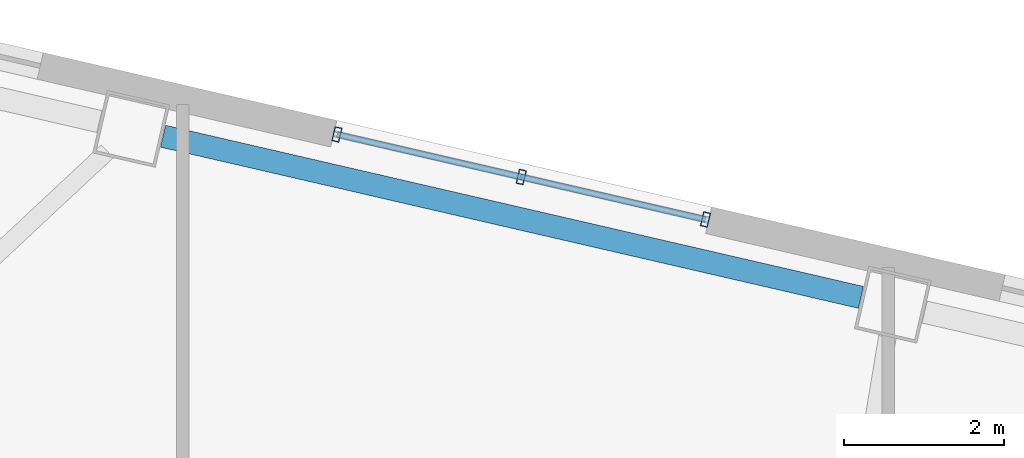
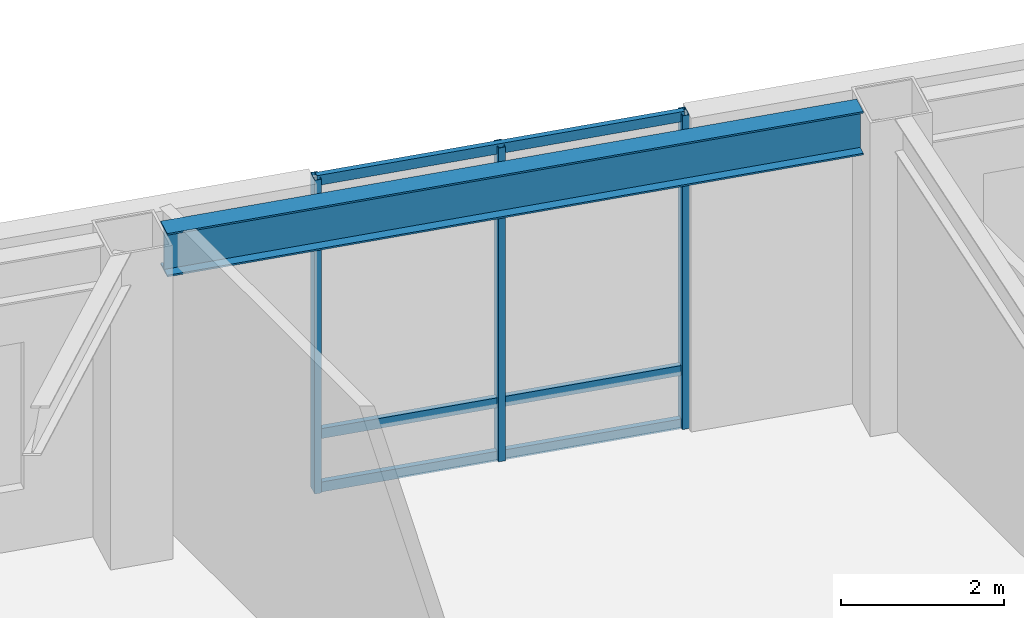
# One storey, part 6 of 20: 6 members, 1 beam, 1 element without a shape of its own.
"""IFC4 building model written with IfcOpenShell, lengths in metres."""

import ifcopenshell
import ifcopenshell.guid

model = None  # the IFC model being written
_history = None  # IfcOwnerHistory: only IFC2X3 demands one
_inside = {}  # id of a spatial element -> (the spatial element, [elements in it])
_under = {}  # id of a project, library or spatial element -> (it, [spatial elements below it])
_declared = {}  # id of a project -> (the project, [libraries it declares])
_typed = {}  # id of a type object -> (the type object, [elements of that type])
_made_of = {}  # id of a material, layer set ... -> (it, [elements and type objects made of it])


def new_model(schema):
    """Start an empty IFC model of exactly this schema.

    Asked for "IFC4X3", IfcOpenShell would pick the latest addendum, in which some entities
    have other attributes; the version numbers below select the first issue.
    IFC2X3 requires an IfcOwnerHistory on every rooted entity: one is made here for all.
    """
    global model, _history
    if schema == "IFC4X3":
        model = ifcopenshell.file(schema_version=(4, 3, 0, 0))
    else:
        model = ifcopenshell.file(schema=schema)
    _inside.clear()
    _under.clear()
    _declared.clear()
    _typed.clear()
    _made_of.clear()
    _history = None
    if model.schema == "IFC2X3":
        org = make("IfcOrganization", Name="unknown")
        user = make(
            "IfcPersonAndOrganization",
            ThePerson=make("IfcPerson", FamilyName="unknown"),
            TheOrganization=org,
        )
        app = make(
            "IfcApplication",
            ApplicationDeveloper=org,
            Version="unknown",
            ApplicationFullName="unknown",
            ApplicationIdentifier="unknown",
        )
        _history = make(
            "IfcOwnerHistory",
            OwningUser=user,
            OwningApplication=app,
            ChangeAction="ADDED",
            CreationDate=0,
        )
    return model


def make(cls, **values):
    """One entity of the class cls with the attributes given. An attribute that is None is left unset."""
    return model.create_entity(
        cls, **{name: value for name, value in values.items() if value is not None}
    )


def rooted(cls, **values):
    """An entity with a GlobalId (a new one), such as an element, a storey or a relation."""
    return make(cls, GlobalId=ifcopenshell.guid.new(), OwnerHistory=_history, **values)


def si_unit(unit_type, name, prefix=None):
    """IfcSIUnit, for example si_unit("LENGTHUNIT", "METRE", prefix="MILLI")."""
    return make("IfcSIUnit", UnitType=unit_type, Prefix=prefix, Name=name)


def assignment(units):
    """IfcUnitAssignment: the units of a project."""
    return None if units is None else make("IfcUnitAssignment", Units=units)


def point(xyz):
    """IfcCartesianPoint."""
    return None if xyz is None else make("IfcCartesianPoint", Coordinates=xyz)


def direction(xyz):
    """IfcDirection."""
    return None if xyz is None else make("IfcDirection", DirectionRatios=xyz)


def frame(location, z_axis=None, x_axis=None):
    """IfcAxis2Placement3D, a coordinate frame: its origin and axes. An axis left out is left unset."""
    return make(
        "IfcAxis2Placement3D",
        Location=point(location),
        Axis=direction(z_axis),
        RefDirection=direction(x_axis),
    )


def frame_2d(location, x_axis=None):
    """IfcAxis2Placement2D, a coordinate frame in the plane: its origin and x axis."""
    return make(
        "IfcAxis2Placement2D", Location=point(location), RefDirection=direction(x_axis)
    )


def origin():
    """The frame at (0, 0, 0) with its axes left unset."""
    return frame((0.0, 0.0, 0.0))


def origin_2d():
    """The frame at (0, 0) in the plane with its x axis left unset."""
    return frame_2d((0.0, 0.0))


def place(relative_to, where):
    """IfcLocalPlacement: puts the frame where relative to a parent placement (None: the world)."""
    return make(
        "IfcLocalPlacement", PlacementRelTo=relative_to, RelativePlacement=where
    )


def context(
    kind, dimensions, precision=None, world=None, true_north=None, identifier=None
):
    """IfcGeometricRepresentationContext, for example the 3D "Model" context."""
    return make(
        "IfcGeometricRepresentationContext",
        ContextIdentifier=identifier,
        ContextType=kind,
        CoordinateSpaceDimension=dimensions,
        Precision=precision,
        WorldCoordinateSystem=world,
        TrueNorth=true_north,
    )


def subcontext(parent, identifier, kind, view, scale=None):
    """IfcGeometricRepresentationSubContext, for example "Body" below "Model"."""
    return make(
        "IfcGeometricRepresentationSubContext",
        ContextIdentifier=identifier,
        ContextType=kind,
        ParentContext=parent,
        TargetScale=scale,
        TargetView=view,
    )


def project(units=None, contexts=None):
    """IfcProject with its units and contexts."""
    return rooted(
        "IfcProject",
        Name="project",
        RepresentationContexts=contexts,
        UnitsInContext=assignment(units),
    )


def spatial(cls, under=None, at=None, **own):
    """A site, building, storey or space (cls), placed at a placement, below another one or the project."""
    s = rooted(cls, ObjectPlacement=at, **own)
    if under is not None:
        _under.setdefault(under.id(), (under, []))[1].append(s)
    return s


def profile(cls, at=None, kind="AREA", **sizes):
    """A parametric profile (cls). Its sizes go by their IFC names, for example OverallWidth=200.0."""
    return make(cls, ProfileType=kind, Position=at, **sizes)


def hollow_rectangle(**sizes):
    """IfcRectangleHollowProfileDef."""
    return profile("IfcRectangleHollowProfileDef", **sizes)


def i_section(**sizes):
    """IfcIShapeProfileDef."""
    return profile("IfcIShapeProfileDef", **sizes)


def extrude(swept, where, along, depth):
    """IfcExtrudedAreaSolid: the profile swept, set in the frame where, extruded along a direction by depth."""
    return make(
        "IfcExtrudedAreaSolid",
        SweptArea=swept,
        Position=where,
        ExtrudedDirection=direction(along),
        Depth=depth,
    )


def shape(context_of_items, identifier, shape_type, items):
    """IfcShapeRepresentation: the items that make up one representation, for example the "Body"."""
    return make(
        "IfcShapeRepresentation",
        ContextOfItems=context_of_items,
        RepresentationIdentifier=identifier,
        RepresentationType=shape_type,
        Items=items,
    )


def material(Name=None, Category=None):
    """IfcMaterial."""
    return make("IfcMaterial", Name=Name, Category=Category)


def layer(
    of_material, thickness, ventilated=None, Name=None, Category=None, Priority=None
):
    """IfcMaterialLayer: one layer of a wall or slab, of a material (None: an air gap)."""
    return make(
        "IfcMaterialLayer",
        Material=of_material,
        LayerThickness=thickness,
        IsVentilated=ventilated,
        Name=Name,
        Category=Category,
        Priority=Priority,
    )


def layer_set(layers, Name=None):
    """IfcMaterialLayerSet."""
    return make("IfcMaterialLayerSet", MaterialLayers=layers, LayerSetName=Name)


def material_profile(
    of_material, cross_section, Name=None, Category=None, Priority=None
):
    """IfcMaterialProfile: a cross section and its material."""
    return make(
        "IfcMaterialProfile",
        Name=Name,
        Material=of_material,
        Profile=cross_section,
        Priority=Priority,
        Category=Category,
    )


def profile_set(profiles, Name=None, composite=None):
    """IfcMaterialProfileSet."""
    return make(
        "IfcMaterialProfileSet",
        Name=Name,
        MaterialProfiles=profiles,
        CompositeProfile=composite,
    )


def made_of(thing, what):
    """Note that an element or type object is made of a material, layer set ...; save() writes the relation."""
    if what is not None:
        _made_of.setdefault(what.id(), (what, []))[1].append(thing)
    return thing


def type_object(cls, material=None, **own):
    """A type object (cls), such as IfcWallType, which elements share."""
    return made_of(rooted(cls, **own), material)


def element(
    cls,
    number,
    at=None,
    inside=None,
    cuts=None,
    type_object=None,
    material=None,
    context=None,
    identifier="Body",
    shape_type=None,
    held_by="IfcProductDefinitionShape",
    body=None,
    shapes=None,
    **own,
):
    """One element of the class cls, such as IfcWall. Its Tag is "e" and its number.

    at: its placement. inside: the storey or other place that contains it. cuts: it is an
    opening in that element (IfcRelVoidsElement). A single representation is given by context,
    identifier, shape_type and body (its items); several are given by shapes. held_by: the class
    of the entity that holds the representations. save() writes the other relations.
    """
    e = rooted(cls, Tag="e%d" % number, ObjectPlacement=at, **own)
    if body is not None:
        shapes = [shape(context, identifier, shape_type, body)]
    if shapes is not None:
        e.Representation = make(held_by, Representations=shapes)
    if inside is not None:
        _inside.setdefault(inside.id(), (inside, []))[1].append(e)
    if cuts is not None:
        rooted(
            "IfcRelVoidsElement", RelatingBuildingElement=cuts, RelatedOpeningElement=e
        )
    if type_object is not None:
        _typed.setdefault(type_object.id(), (type_object, []))[1].append(e)
    return made_of(e, material)


def aggregate(whole, parts):
    """IfcRelAggregates: a whole, such as a stair, and the parts it consists of."""
    return rooted("IfcRelAggregates", RelatingObject=whole, RelatedObjects=parts)


def save(model, path):
    """Write the relations noted so far, then the file.

    IfcRelAggregates (storeys below a building ...), IfcRelContainedInSpatialStructure (elements
    in a storey), IfcRelDefinesByType, IfcRelAssociatesMaterial and IfcRelDeclares: one each for
    every whole, place, type object, material and project.
    """
    for whole, parts in _under.values():
        aggregate(whole, parts)
    for where, things in _inside.values():
        rooted(
            "IfcRelContainedInSpatialStructure",
            RelatedElements=things,
            RelatingStructure=where,
        )
    for kind, things in _typed.values():
        rooted("IfcRelDefinesByType", RelatedObjects=things, RelatingType=kind)
    for what, things in _made_of.values():
        rooted("IfcRelAssociatesMaterial", RelatedObjects=things, RelatingMaterial=what)
    for by, libraries in _declared.values():
        rooted("IfcRelDeclares", RelatingContext=by, RelatedDefinitions=libraries)
    model.write(path)


model = new_model("IFC4")

# Units and contexts
model_context = context("Model", 3, precision=1e-05, world=origin(), true_north=direction((0.0, 1.0)))
body_context = subcontext(model_context, "Body", "Model", "MODEL_VIEW")
ifc_project = project(units=[si_unit("LENGTHUNIT", "METRE"), si_unit("AREAUNIT", "SQUARE_METRE"), si_unit("VOLUMEUNIT", "CUBIC_METRE"), si_unit("PLANEANGLEUNIT", "RADIAN"), si_unit("MASSUNIT", "GRAM", prefix="KILO")], contexts=[model_context])

# Site, building, storey
site_placement = place(None, origin())
site = spatial("IfcSite", under=ifc_project, at=site_placement, CompositionType="ELEMENT")
building_placement = place(site_placement, origin())
building = spatial("IfcBuilding", under=site, at=building_placement, Name="Tavrogorsk Clinical Tower", CompositionType="ELEMENT")
storey_placement = place(building_placement, frame((0.0, 0.0, 13.39990234375)))
storey = spatial("IfcBuildingStorey", under=building, at=storey_placement, Name="L02", CompositionType="ELEMENT", Elevation=13.39990234375)

# Curtain wall, members
ifc_material_1 = material(Name="Anodised aluminium and triple IGU glazing", Category="aluminium")
ifc_layer = layer(ifc_material_1, 0.179931640625)
ifc_layer_set = layer_set([ifc_layer], Name="Anodised aluminium and triple IGU glazing")
curtain_wall_type = type_object("IfcCurtainWallType", Name="CW2_NorthSlot", PredefinedType="NOTDEFINED", material=ifc_layer_set)
curtain_wall_placement = place(storey_placement, origin())
curtain_wall = element("IfcCurtainWall", 1, at=curtain_wall_placement, inside=storey, type_object=curtain_wall_type, Name="L02 Curtain Wall CW-L02-N-SLOT-1", PredefinedType="NOTDEFINED")
ifc_material_2 = material(Name="Anodised aluminium alloy AW-6060", Category="aluminium")
ifc_material_profile_1 = material_profile(ifc_material_2, hollow_rectangle(XDim=0.090087890625, YDim=0.179931640625, WallThickness=0.00634765625, at=origin_2d()), Name="RHS-180x90x6.3")
ifc_profile_set_1 = profile_set([ifc_material_profile_1], Name="Anodised aluminium alloy AW-6060")
member_type_1 = type_object("IfcMemberType", Name="CwMullion_180x90", PredefinedType="MULLION", material=ifc_profile_set_1)
member_1_placement = place(storey_placement, frame((-3.879638671875, 24.640625, 0.0), z_axis=(0.0, 0.0, 1.0), x_axis=(-0.974370102963, 0.224950888978, 0.0)))
member_1 = element("IfcMember", 2, at=member_1_placement, type_object=member_type_1, Name="CW-L02-N-SLOT-1 Mullion 1", PredefinedType="MULLION", context=body_context, shape_type="SweptSolid", body=[
    extrude(hollow_rectangle(XDim=0.090087890625, YDim=0.179931640625, WallThickness=0.00634765625, at=origin_2d()), origin(), (0.0, 0.0, 1.0), 4.7001953125),
])
member_2_placement = place(storey_placement, frame((-6.17822265625, 25.171142578125, 0.0), z_axis=(0.0, 0.0, 1.0), x_axis=(-0.974370102963, 0.224950888978, 0.0)))
member_2 = element("IfcMember", 3, at=member_2_placement, type_object=member_type_1, Name="CW-L02-N-SLOT-1 Mullion 2", PredefinedType="MULLION", context=body_context, shape_type="SweptSolid", body=[
    extrude(hollow_rectangle(XDim=0.090087890625, YDim=0.179931640625, WallThickness=0.00634765625, at=origin_2d()), origin(), (0.0, 0.0, 1.0), 4.7001953125),
])
member_3_placement = place(storey_placement, frame((-8.476806640625, 25.701904296875, 0.0), z_axis=(0.0, 0.0, 1.0), x_axis=(-0.974370102963, 0.224950888978, 0.0)))
member_3 = element("IfcMember", 4, at=member_3_placement, type_object=member_type_1, Name="CW-L02-N-SLOT-1 Mullion 3", PredefinedType="MULLION", context=body_context, shape_type="SweptSolid", body=[
    extrude(hollow_rectangle(XDim=0.090087890625, YDim=0.179931640625, WallThickness=0.00634765625, at=origin_2d()), origin(), (0.0, 0.0, 1.0), 4.7001953125),
])
ifc_material_3 = material(Name="Anodised aluminium alloy AW-6060", Category="aluminium")
ifc_material_profile_2 = material_profile(ifc_material_3, hollow_rectangle(XDim=0.074951171875, YDim=0.14990234375, WallThickness=0.0048828125, at=origin_2d()), Name="RHS-150x75x5")
ifc_profile_set_2 = profile_set([ifc_material_profile_2], Name="Anodised aluminium alloy AW-6060")
member_type_2 = type_object("IfcMemberType", Name="CwTransom_150x75", PredefinedType="USERDEFINED", material=ifc_profile_set_2)
member_4_placement = place(storey_placement, frame((-3.879638671875, 24.640625, 0.050048828125), z_axis=(-0.974372877948, 0.22493886885, 0.0), x_axis=(-0.22493886885, -0.974372877948, 0.0)))
member_4 = element("IfcMember", 5, at=member_4_placement, type_object=member_type_2, Name="CW-L02-N-SLOT-1 Transom 1", ObjectType="TRANSOM", PredefinedType="USERDEFINED", context=body_context, shape_type="SweptSolid", body=[
    extrude(hollow_rectangle(XDim=0.074951171875, YDim=0.14990234375, WallThickness=0.0048828125, at=origin_2d()), origin(), (0.0, 0.0, 1.0), 4.718017578125),
])
member_5_placement = place(storey_placement, frame((-3.879638671875, 24.640625, 0.85009765625), z_axis=(-0.974372877948, 0.22493886885, 0.0), x_axis=(-0.22493886885, -0.974372877948, 0.0)))
member_5 = element("IfcMember", 6, at=member_5_placement, type_object=member_type_2, Name="CW-L02-N-SLOT-1 Transom 2", ObjectType="TRANSOM", PredefinedType="USERDEFINED", context=body_context, shape_type="SweptSolid", body=[
    extrude(hollow_rectangle(XDim=0.074951171875, YDim=0.14990234375, WallThickness=0.0048828125, at=origin_2d()), origin(), (0.0, 0.0, 1.0), 4.718017578125),
])
member_6_placement = place(storey_placement, frame((-3.879638671875, 24.640625, 4.650146484375), z_axis=(-0.974372877948, 0.22493886885, 0.0), x_axis=(-0.22493886885, -0.974372877948, 0.0)))
member_6 = element("IfcMember", 7, at=member_6_placement, type_object=member_type_2, Name="CW-L02-N-SLOT-1 Transom 3", ObjectType="TRANSOM", PredefinedType="USERDEFINED", context=body_context, shape_type="SweptSolid", body=[
    extrude(hollow_rectangle(XDim=0.074951171875, YDim=0.14990234375, WallThickness=0.0048828125, at=origin_2d()), origin(), (0.0, 0.0, 1.0), 4.718017578125),
])
aggregate(curtain_wall, [member_1, member_2, member_3, member_4, member_5, member_6])

# Beam
ifc_material_4 = material(Name="Structural steel S390", Category="steel")
ifc_material_profile_3 = material_profile(ifc_material_4, i_section(OverallWidth=0.280029296875, OverallDepth=0.64990234375, WebThickness=0.01611328125, FlangeThickness=0.02490234375, at=origin_2d()), Name="B-650x280x16x25")
ifc_profile_set_3 = profile_set([ifc_material_profile_3], Name="Structural steel S390")
beam_type = type_object("IfcBeamType", Name="SpandrelBeam_B650", PredefinedType="SPANDREL", material=ifc_profile_set_3)
beam_placement = place(storey_placement, frame((-1.941162109375, 23.669677734375, 4.375), z_axis=(-0.974372766602, 0.224939351168, 0.0), x_axis=(-0.224939351168, -0.974372766602, 0.0)))
element("IfcBeam", 8, at=beam_placement, inside=storey, type_object=beam_type, Name="L02 Perimeter Spandrel N5-N6", PredefinedType="SPANDREL", context=body_context, shape_type="SweptSolid", body=[
    extrude(i_section(OverallWidth=0.280029296875, OverallDepth=0.64990234375, WebThickness=0.01611328125, FlangeThickness=0.02490234375, at=origin_2d()), origin(), (0.0, 0.0, 1.0), 8.9326171875),
])

save(model, "model.ifc")
